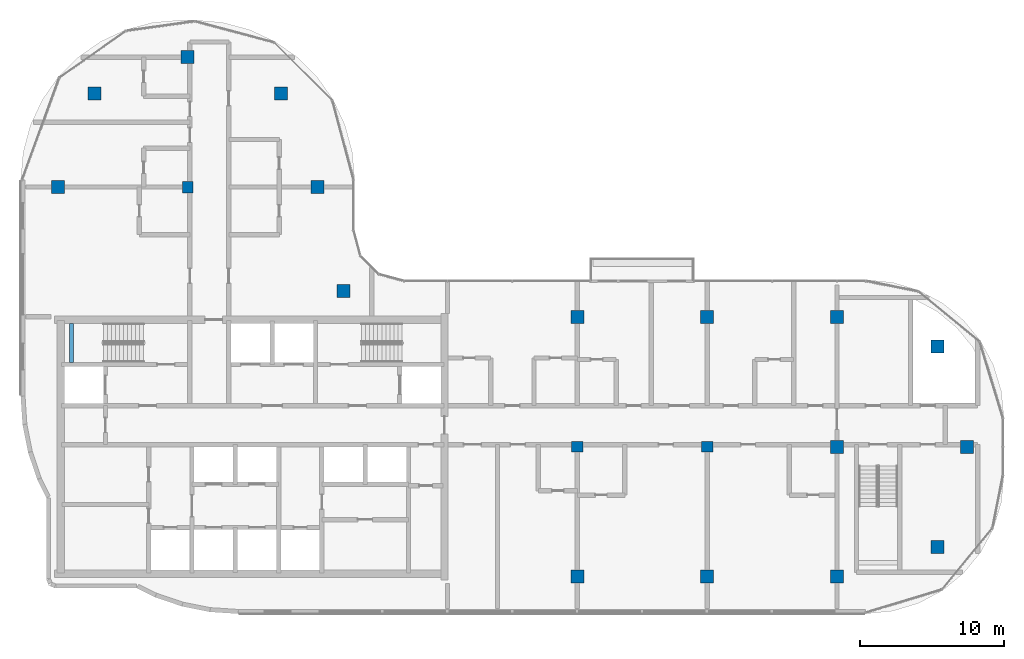
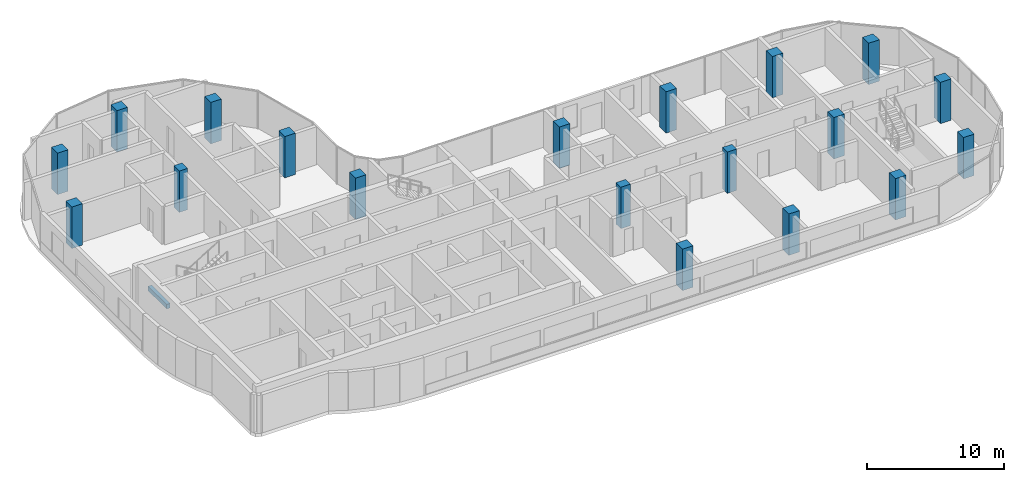
# One storey, part 1 of 18: 19 columns, 1 beam.
"""IFC4 building model written with IfcOpenShell, lengths in metres."""

import ifcopenshell
import ifcopenshell.guid

model = None  # the IFC model being written
_history = None  # IfcOwnerHistory: only IFC2X3 demands one
_inside = {}  # id of a spatial element -> (the spatial element, [elements in it])
_under = {}  # id of a project, library or spatial element -> (it, [spatial elements below it])
_declared = {}  # id of a project -> (the project, [libraries it declares])
_typed = {}  # id of a type object -> (the type object, [elements of that type])
_made_of = {}  # id of a material, layer set ... -> (it, [elements and type objects made of it])


def new_model(schema):
    """Start an empty IFC model of exactly this schema.

    Asked for "IFC4X3", IfcOpenShell would pick the latest addendum, in which some entities
    have other attributes; the version numbers below select the first issue.
    IFC2X3 requires an IfcOwnerHistory on every rooted entity: one is made here for all.
    """
    global model, _history
    if schema == "IFC4X3":
        model = ifcopenshell.file(schema_version=(4, 3, 0, 0))
    else:
        model = ifcopenshell.file(schema=schema)
    _inside.clear()
    _under.clear()
    _declared.clear()
    _typed.clear()
    _made_of.clear()
    _history = None
    if model.schema == "IFC2X3":
        org = make("IfcOrganization", Name="unknown")
        user = make(
            "IfcPersonAndOrganization",
            ThePerson=make("IfcPerson", FamilyName="unknown"),
            TheOrganization=org,
        )
        app = make(
            "IfcApplication",
            ApplicationDeveloper=org,
            Version="unknown",
            ApplicationFullName="unknown",
            ApplicationIdentifier="unknown",
        )
        _history = make(
            "IfcOwnerHistory",
            OwningUser=user,
            OwningApplication=app,
            ChangeAction="ADDED",
            CreationDate=0,
        )
    return model


def make(cls, **values):
    """One entity of the class cls with the attributes given. An attribute that is None is left unset."""
    return model.create_entity(
        cls, **{name: value for name, value in values.items() if value is not None}
    )


def rooted(cls, **values):
    """An entity with a GlobalId (a new one), such as an element, a storey or a relation."""
    return make(cls, GlobalId=ifcopenshell.guid.new(), OwnerHistory=_history, **values)


def si_unit(unit_type, name, prefix=None):
    """IfcSIUnit, for example si_unit("LENGTHUNIT", "METRE", prefix="MILLI")."""
    return make("IfcSIUnit", UnitType=unit_type, Prefix=prefix, Name=name)


def assignment(units):
    """IfcUnitAssignment: the units of a project."""
    return None if units is None else make("IfcUnitAssignment", Units=units)


def point(xyz):
    """IfcCartesianPoint."""
    return None if xyz is None else make("IfcCartesianPoint", Coordinates=xyz)


def direction(xyz):
    """IfcDirection."""
    return None if xyz is None else make("IfcDirection", DirectionRatios=xyz)


def frame(location, z_axis=None, x_axis=None):
    """IfcAxis2Placement3D, a coordinate frame: its origin and axes. An axis left out is left unset."""
    return make(
        "IfcAxis2Placement3D",
        Location=point(location),
        Axis=direction(z_axis),
        RefDirection=direction(x_axis),
    )


def frame_2d(location, x_axis=None):
    """IfcAxis2Placement2D, a coordinate frame in the plane: its origin and x axis."""
    return make(
        "IfcAxis2Placement2D", Location=point(location), RefDirection=direction(x_axis)
    )


def origin():
    """The frame at (0, 0, 0) with its axes left unset."""
    return frame((0.0, 0.0, 0.0))


def origin_2d():
    """The frame at (0, 0) in the plane with its x axis left unset."""
    return frame_2d((0.0, 0.0))


def place(relative_to, where):
    """IfcLocalPlacement: puts the frame where relative to a parent placement (None: the world)."""
    return make(
        "IfcLocalPlacement", PlacementRelTo=relative_to, RelativePlacement=where
    )


def context(
    kind, dimensions, precision=None, world=None, true_north=None, identifier=None
):
    """IfcGeometricRepresentationContext, for example the 3D "Model" context."""
    return make(
        "IfcGeometricRepresentationContext",
        ContextIdentifier=identifier,
        ContextType=kind,
        CoordinateSpaceDimension=dimensions,
        Precision=precision,
        WorldCoordinateSystem=world,
        TrueNorth=true_north,
    )


def subcontext(parent, identifier, kind, view, scale=None):
    """IfcGeometricRepresentationSubContext, for example "Body" below "Model"."""
    return make(
        "IfcGeometricRepresentationSubContext",
        ContextIdentifier=identifier,
        ContextType=kind,
        ParentContext=parent,
        TargetScale=scale,
        TargetView=view,
    )


def project(units=None, contexts=None):
    """IfcProject with its units and contexts."""
    return rooted(
        "IfcProject",
        Name="project",
        RepresentationContexts=contexts,
        UnitsInContext=assignment(units),
    )


def spatial(cls, under=None, at=None, **own):
    """A site, building, storey or space (cls), placed at a placement, below another one or the project."""
    s = rooted(cls, ObjectPlacement=at, **own)
    if under is not None:
        _under.setdefault(under.id(), (under, []))[1].append(s)
    return s


def profile(cls, at=None, kind="AREA", **sizes):
    """A parametric profile (cls). Its sizes go by their IFC names, for example OverallWidth=200.0."""
    return make(cls, ProfileType=kind, Position=at, **sizes)


def rectangle(**sizes):
    """IfcRectangleProfileDef."""
    return profile("IfcRectangleProfileDef", **sizes)


def extrude(swept, where, along, depth):
    """IfcExtrudedAreaSolid: the profile swept, set in the frame where, extruded along a direction by depth."""
    return make(
        "IfcExtrudedAreaSolid",
        SweptArea=swept,
        Position=where,
        ExtrudedDirection=direction(along),
        Depth=depth,
    )


def shape(context_of_items, identifier, shape_type, items):
    """IfcShapeRepresentation: the items that make up one representation, for example the "Body"."""
    return make(
        "IfcShapeRepresentation",
        ContextOfItems=context_of_items,
        RepresentationIdentifier=identifier,
        RepresentationType=shape_type,
        Items=items,
    )


def material(Name=None, Category=None):
    """IfcMaterial."""
    return make("IfcMaterial", Name=Name, Category=Category)


def material_profile(
    of_material, cross_section, Name=None, Category=None, Priority=None
):
    """IfcMaterialProfile: a cross section and its material."""
    return make(
        "IfcMaterialProfile",
        Name=Name,
        Material=of_material,
        Profile=cross_section,
        Priority=Priority,
        Category=Category,
    )


def profile_set(profiles, Name=None, composite=None):
    """IfcMaterialProfileSet."""
    return make(
        "IfcMaterialProfileSet",
        Name=Name,
        MaterialProfiles=profiles,
        CompositeProfile=composite,
    )


def made_of(thing, what):
    """Note that an element or type object is made of a material, layer set ...; save() writes the relation."""
    if what is not None:
        _made_of.setdefault(what.id(), (what, []))[1].append(thing)
    return thing


def type_object(cls, material=None, **own):
    """A type object (cls), such as IfcWallType, which elements share."""
    return made_of(rooted(cls, **own), material)


def element(
    cls,
    number,
    at=None,
    inside=None,
    cuts=None,
    type_object=None,
    material=None,
    context=None,
    identifier="Body",
    shape_type=None,
    held_by="IfcProductDefinitionShape",
    body=None,
    shapes=None,
    **own,
):
    """One element of the class cls, such as IfcWall. Its Tag is "e" and its number.

    at: its placement. inside: the storey or other place that contains it. cuts: it is an
    opening in that element (IfcRelVoidsElement). A single representation is given by context,
    identifier, shape_type and body (its items); several are given by shapes. held_by: the class
    of the entity that holds the representations. save() writes the other relations.
    """
    e = rooted(cls, Tag="e%d" % number, ObjectPlacement=at, **own)
    if body is not None:
        shapes = [shape(context, identifier, shape_type, body)]
    if shapes is not None:
        e.Representation = make(held_by, Representations=shapes)
    if inside is not None:
        _inside.setdefault(inside.id(), (inside, []))[1].append(e)
    if cuts is not None:
        rooted(
            "IfcRelVoidsElement", RelatingBuildingElement=cuts, RelatedOpeningElement=e
        )
    if type_object is not None:
        _typed.setdefault(type_object.id(), (type_object, []))[1].append(e)
    return made_of(e, material)


def aggregate(whole, parts):
    """IfcRelAggregates: a whole, such as a stair, and the parts it consists of."""
    return rooted("IfcRelAggregates", RelatingObject=whole, RelatedObjects=parts)


def save(model, path):
    """Write the relations noted so far, then the file.

    IfcRelAggregates (storeys below a building ...), IfcRelContainedInSpatialStructure (elements
    in a storey), IfcRelDefinesByType, IfcRelAssociatesMaterial and IfcRelDeclares: one each for
    every whole, place, type object, material and project.
    """
    for whole, parts in _under.values():
        aggregate(whole, parts)
    for where, things in _inside.values():
        rooted(
            "IfcRelContainedInSpatialStructure",
            RelatedElements=things,
            RelatingStructure=where,
        )
    for kind, things in _typed.values():
        rooted("IfcRelDefinesByType", RelatedObjects=things, RelatingType=kind)
    for what, things in _made_of.values():
        rooted("IfcRelAssociatesMaterial", RelatedObjects=things, RelatingMaterial=what)
    for by, libraries in _declared.values():
        rooted("IfcRelDeclares", RelatingContext=by, RelatedDefinitions=libraries)
    model.write(path)


model = new_model("IFC4")

# Units and contexts
model_context = context("Model", 3, precision=1e-05, world=origin(), true_north=direction((0.0, 1.0)))
body_context = subcontext(model_context, "Body", "Model", "MODEL_VIEW")
ifc_project = project(units=[si_unit("LENGTHUNIT", "METRE"), si_unit("AREAUNIT", "SQUARE_METRE"), si_unit("VOLUMEUNIT", "CUBIC_METRE"), si_unit("PLANEANGLEUNIT", "RADIAN"), si_unit("MASSUNIT", "GRAM", prefix="KILO")], contexts=[model_context])

# Site, building, storey
site_placement = place(None, origin())
site = spatial("IfcSite", under=ifc_project, at=site_placement, CompositionType="ELEMENT")
building_placement = place(site_placement, origin())
building = spatial("IfcBuilding", under=site, at=building_placement, Name="Ogive Portal Towers", CompositionType="ELEMENT")
storey_placement = place(building_placement, frame((0.0, 0.0, 236.5)))
storey = spatial("IfcBuildingStorey", under=building, at=storey_placement, Name="L59", CompositionType="ELEMENT", Elevation=236.5)

# Columns
ifc_material_1 = material(Name="Concrete C60/75", Category="concrete")
ifc_material_profile_1 = material_profile(ifc_material_1, rectangle(XDim=0.800048828125, YDim=0.699951171875, at=origin_2d()), Name="RC 800x700")
ifc_profile_set_1 = profile_set([ifc_material_profile_1], Name="Concrete C60/75")
column_type_1 = type_object("IfcColumnType", Name="COLUMN RC 800x700", PredefinedType="COLUMN", material=ifc_profile_set_1)
for number, where, z_axis, x_axis, name in (
    (1, (67.5, 30.5, 0.0), (0.0, 0.0, 1.0), (1.0, 0.0, 0.0), "Column 5/B L59"),
    (2, (76.5, 30.5, 0.0), (0.0, 0.0, 1.0), (1.0, 0.0, 0.0), "Column 6/B L59"),
    (3, (40.5, 48.5, 0.0), (0.0, 0.0, 1.0), (0.0, 1.0, 0.0), "Column 2/D L59"),
):
    element("IfcColumn", number, at=place(storey_placement, frame(where, z_axis=z_axis, x_axis=x_axis)), inside=storey, type_object=column_type_1, Name=name, PredefinedType="COLUMN", context=body_context, shape_type="SweptSolid", body=[
        extrude(rectangle(XDim=0.800048828125, YDim=0.699951171875, at=origin_2d()), origin(), (0.0, 0.0, 1.0), 3.699951171875),
    ])
ifc_material_profile_2 = material_profile(ifc_material_1, rectangle(XDim=0.89990234375, YDim=0.89990234375, at=origin_2d()), Name="RC 900x900")
ifc_profile_set_2 = profile_set([ifc_material_profile_2], Name="Concrete C60/75")
column_type_2 = type_object("IfcColumnType", Name="COLUMN RC 900x900", PredefinedType="COLUMN", material=ifc_profile_set_2)
for number, where, z_axis, x_axis, name in (
    (4, (67.5, 21.5, 0.0), (0.0, 0.0, 1.0), (1.0, 0.0, 0.0), "Column 5/A L59"),
    (5, (76.5, 21.5, 0.0), (0.0, 0.0, 1.0), (1.0, 0.0, 0.0), "Column 6/A L59"),
    (6, (85.5, 21.5, 0.0), (0.0, 0.0, 1.0), (1.0, 0.0, 0.0), "Column 7/A L59"),
    (7, (92.449951171875, 23.550048828125, 0.0), (0.0, 0.0, 1.0), (1.0, 0.0, 0.0), "Column L59"),
    (8, (85.5, 30.5, 0.0), (0.0, 0.0, 1.0), (1.0, 0.0, 0.0), "Column 7/B L59"),
    (9, (94.5, 30.5, 0.0), (0.0, 0.0, 1.0), (1.0, 0.0, 0.0), "Column 8/B L59"),
    (10, (92.449951171875, 37.449951171875, 0.0), (0.0, 0.0, 1.0), (1.0, 0.0, 0.0), "Column L59"),
    (11, (67.5, 39.5, 0.0), (0.0, 0.0, 1.0), (1.0, 0.0, 0.0), "Column 5/C L59"),
    (12, (76.5, 39.5, 0.0), (0.0, 0.0, 1.0), (1.0, 0.0, 0.0), "Column 6/C L59"),
    (13, (85.5, 39.5, 0.0), (0.0, 0.0, 1.0), (1.0, 0.0, 0.0), "Column 7/C L59"),
    (14, (51.31005859375, 41.31005859375, 0.0), (0.0, 0.0, 1.0), (1.0, 0.0, 0.0), "Column L59"),
    (15, (31.5, 48.5, 0.0), (0.0, 0.0, 1.0), (1.0, 0.0, 0.0), "Column 1/D L59"),
    (16, (49.5, 48.5, 0.0), (0.0, 0.0, 1.0), (1.0, 0.0, 0.0), "Column 3/D L59"),
    (17, (34.027099609375, 54.972900390625, 0.0), (0.0, 0.0, 1.0), (1.0, 0.0, 0.0), "Column L59"),
    (18, (46.972900390625, 54.972900390625, 0.0), (0.0, 0.0, 1.0), (1.0, 0.0, 0.0), "Column L59"),
    (19, (40.5, 57.5, 0.0), (0.0, 0.0, 1.0), (1.0, 0.0, 0.0), "Column 2/E L59"),
):
    element("IfcColumn", number, at=place(storey_placement, frame(where, z_axis=z_axis, x_axis=x_axis)), inside=storey, type_object=column_type_2, Name=name, PredefinedType="COLUMN", context=body_context, shape_type="SweptSolid", body=[
        extrude(rectangle(XDim=0.89990234375, YDim=0.89990234375, at=origin_2d()), origin(), (0.0, 0.0, 1.0), 3.699951171875),
    ])

# Beam
ifc_material_2 = material(Name="Concrete C40/50", Category="concrete")
ifc_material_profile_3 = material_profile(ifc_material_2, rectangle(XDim=0.300048828125, YDim=0.39990234375, at=origin_2d()), Name="RC 300x400")
ifc_profile_set_3 = profile_set([ifc_material_profile_3], Name="Concrete C40/50")
beam_type = type_object("IfcBeamType", Name="BEAM RC 300x400", PredefinedType="BEAM", material=ifc_profile_set_3)
beam_placement = place(storey_placement, frame((32.449951171875, 36.35009765625, 1.449951171875), z_axis=(0.0, 1.0, 0.0), x_axis=(-1.0, 0.0, 0.0)))
element("IfcBeam", 20, at=beam_placement, inside=storey, type_object=beam_type, Name="Landing beam L59", PredefinedType="BEAM", context=body_context, shape_type="SweptSolid", body=[
    extrude(rectangle(XDim=0.300048828125, YDim=0.39990234375, at=origin_2d()), origin(), (0.0, 0.0, 1.0), 2.699951171875),
])

save(model, "model.ifc")
